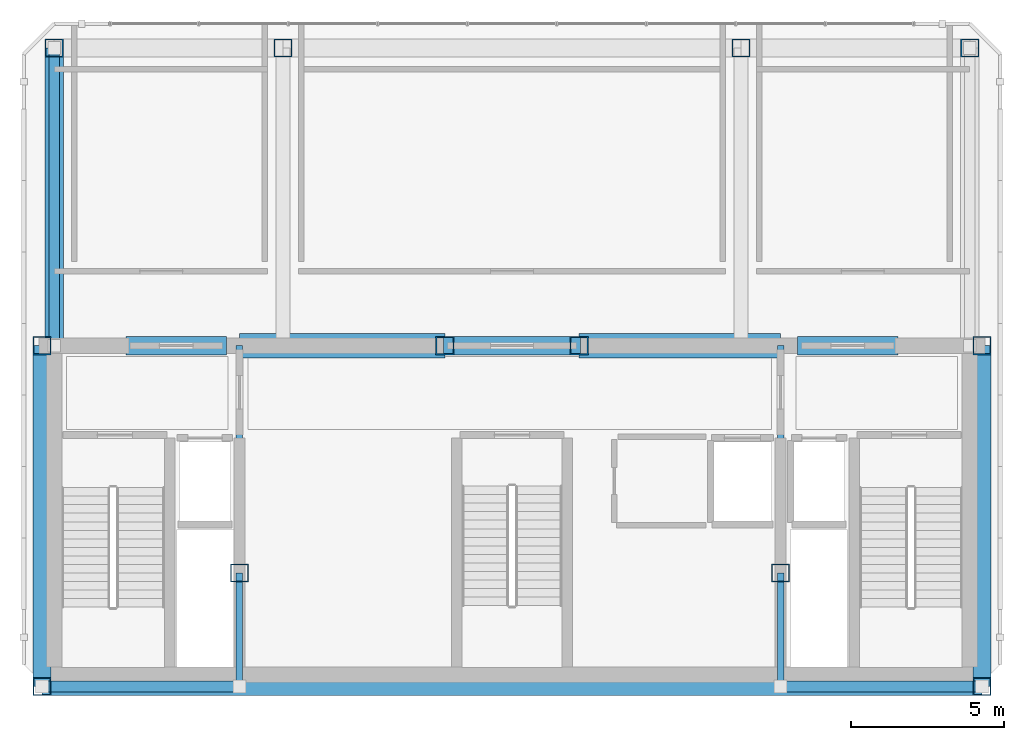
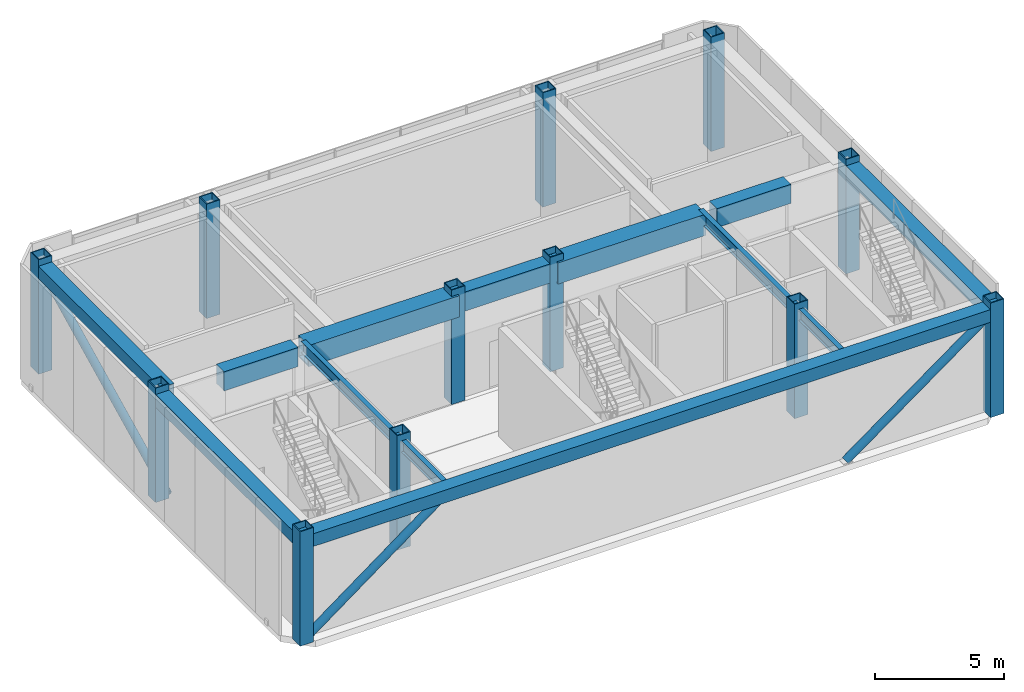
# One storey, part 1 of 9: 13 beams, 12 columns, 3 members.
"""IFC4 building model written with IfcOpenShell, lengths in metres."""

from ifc_helpers import new_model, si_unit, direction, frame, origin, origin_2d, place, context, subcontext, project, spatial, rectangle, hollow_rectangle, hollow_circle, i_section, extrude, material, material_profile, profile_set, type_object, element, save


model = new_model("IFC4")

# Units and contexts
model_context = context("Model", 3, precision=1e-05, world=origin(), true_north=direction((0.0, 1.0)))
body_context = subcontext(model_context, "Body", "Model", "MODEL_VIEW")
ifc_project = project(units=[si_unit("LENGTHUNIT", "METRE"), si_unit("AREAUNIT", "SQUARE_METRE"), si_unit("VOLUMEUNIT", "CUBIC_METRE"), si_unit("PLANEANGLEUNIT", "RADIAN"), si_unit("MASSUNIT", "GRAM", prefix="KILO")], contexts=[model_context])

# Site, building, storey
site_placement = place(None, origin())
site = spatial("IfcSite", under=ifc_project, at=site_placement, CompositionType="ELEMENT")
building_placement = place(site_placement, origin())
building = spatial("IfcBuilding", under=site, at=building_placement, Name="Ventersveld Concourse Tower", CompositionType="ELEMENT")
storey_placement = place(building_placement, frame((0.0, 0.0, 372.050048828125)))
storey = spatial("IfcBuildingStorey", under=building, at=storey_placement, Name="L91", CompositionType="ELEMENT", Elevation=372.050048828125)

# Columns
ifc_material_1 = material(Name="Structural steel S355ML", Category="steel")
ifc_material_profile_1 = material_profile(ifc_material_1, hollow_rectangle(XDim=0.60009765625, YDim=0.60009765625, WallThickness=0.0400390625, at=origin_2d()), Name="BOX 600x600x40")
ifc_profile_set_1 = profile_set([ifc_material_profile_1], Name="Structural steel S355ML")
column_type = type_object("IfcColumnType", Name="CF-POST-600", PredefinedType="USERDEFINED", material=ifc_profile_set_1)
for number, where, z_axis, x_axis, name in (
    (1, (13.35009765625, 0.280029296875, 0.0), (0.0, 0.0, 1.0), (1.0, 0.0, 0.0), "L91 Core Spine Column CC-SW"),
    (2, (44.14990234375, 0.280029296875, 0.0), (0.0, 0.0, 1.0), (1.0, 0.0, 0.0), "L91 Core Spine Column CC-SE"),
    (3, (13.35009765625, 11.449951171875, 0.0), (0.0, 0.0, 1.0), (1.0, 0.0, 0.0), "L91 Core Spine Column CC-NW"),
    (4, (44.14990234375, 11.449951171875, 0.0), (0.0, 0.0, 1.0), (1.0, 0.0, 0.0), "L91 Core Spine Column CC-NE"),
    (5, (19.820068359375, 4.0, 0.0), (0.0, 0.0, 1.0), (1.0, 0.0, 0.0), "L91 Core Spine Column CM-1"),
    (6, (37.550048828125, 4.0, 0.0), (0.0, 0.0, 1.0), (1.0, 0.0, 0.0), "L91 Core Spine Column CM-2"),
    (7, (26.550048828125, 11.449951171875, 0.0), (0.0, 0.0, 1.0), (1.0, 0.0, 0.0), "L91 Core Spine Column CM-3"),
    (8, (30.949951171875, 11.449951171875, 0.0), (0.0, 0.0, 1.0), (1.0, 0.0, 0.0), "L91 Core Spine Column CM-4"),
    (9, (13.75, 21.199951171875, 0.0), (0.0, 0.0, 1.0), (1.0, 0.0, 0.0), "L91 Crown Frame Structural Post CF-NW"),
    (10, (21.25, 21.199951171875, 0.0), (0.0, 0.0, 1.0), (1.0, 0.0, 0.0), "L91 Crown Frame Structural Post CF-NCW"),
    (11, (36.25, 21.199951171875, 0.0), (0.0, 0.0, 1.0), (1.0, 0.0, 0.0), "L91 Crown Frame Structural Post CF-NCE"),
    (12, (43.75, 21.199951171875, 0.0), (0.0, 0.0, 1.0), (1.0, 0.0, 0.0), "L91 Crown Frame Structural Post CF-NE"),
):
    element("IfcColumn", number, at=place(storey_placement, frame(where, z_axis=z_axis, x_axis=x_axis)), inside=storey, type_object=column_type, Name=name, ObjectType="CROWN_FRAME", PredefinedType="USERDEFINED", context=body_context, shape_type="SweptSolid", body=[
        extrude(hollow_rectangle(XDim=0.60009765625, YDim=0.60009765625, WallThickness=0.0400390625, at=origin_2d()), origin(), (0.0, 0.0, 1.0), 5.39990234375),
    ])

# Beams
ifc_material_2 = material(Name="Concrete C50/60", Category="concrete")
ifc_material_profile_2 = material_profile(ifc_material_2, rectangle(XDim=0.60009765625, YDim=0.89990234375, at=origin_2d()), Name="RC 600x900")
ifc_profile_set_2 = profile_set([ifc_material_profile_2], Name="Concrete C50/60")
beam_type_1 = type_object("IfcBeamType", Name="CB-RC600x900U", PredefinedType="LINTEL", material=ifc_profile_set_2)
beam_1_placement = place(storey_placement, frame((16.10009765625, 11.449951171875, 4.64990234375), z_axis=(1.0, 0.0, 0.0), x_axis=(0.0, 1.0, 0.0)))
element("IfcBeam", 13, at=beam_1_placement, inside=storey, type_object=beam_type_1, Name="L91 Core Coupling Lintel Beam 1", PredefinedType="LINTEL", context=body_context, shape_type="SweptSolid", body=[
    extrude(rectangle(XDim=0.60009765625, YDim=0.89990234375, at=origin_2d()), origin(), (0.0, 0.0, 1.0), 3.2998046875),
])
beam_2_placement = place(storey_placement, frame((26.5, 11.449951171875, 4.64990234375), z_axis=(1.0, 0.0, 0.0), x_axis=(0.0, 1.0, 0.0)))
element("IfcBeam", 14, at=beam_2_placement, inside=storey, type_object=beam_type_1, Name="L91 Core Coupling Lintel Beam 2", PredefinedType="LINTEL", context=body_context, shape_type="SweptSolid", body=[
    extrude(rectangle(XDim=0.60009765625, YDim=0.89990234375, at=origin_2d()), origin(), (0.0, 0.0, 1.0), 4.5),
])
beam_3_placement = place(storey_placement, frame((38.10009765625, 11.449951171875, 4.64990234375), z_axis=(1.0, 0.0, 0.0), x_axis=(0.0, 1.0, 0.0)))
element("IfcBeam", 15, at=beam_3_placement, inside=storey, type_object=beam_type_1, Name="L91 Core Coupling Lintel Beam 3", PredefinedType="LINTEL", context=body_context, shape_type="SweptSolid", body=[
    extrude(rectangle(XDim=0.60009765625, YDim=0.89990234375, at=origin_2d()), origin(), (0.0, 0.0, 1.0), 3.2998046875),
])

# Members
ifc_material_profile_3 = material_profile(ifc_material_1, hollow_circle(Radius=0.177734375, WallThickness=0.01611328125, at=origin_2d()), Name="CHS 355.6x16")
ifc_profile_set_3 = profile_set([ifc_material_profile_3], Name="Structural steel S355ML")
member_type = type_object("IfcMemberType", Name="CF-BR-355", PredefinedType="BRACE", material=ifc_profile_set_3)
member_1_placement = place(storey_placement, frame((13.35009765625, 0.280029296875, 0.0), z_axis=(0.803112997434, 0.0, 0.595826747766), x_axis=(0.0, 1.0, 0.0)))
element("IfcMember", 16, at=member_1_placement, inside=storey, type_object=member_type, Name="L91 CROWN FRAME Wind Brace 1", PredefinedType="BRACE", context=body_context, shape_type="SweptSolid", body=[
    extrude(hollow_circle(Radius=0.177734375, WallThickness=0.01611328125, at=origin_2d()), origin(), (0.0, 0.0, 1.0), 8.05615234375),
])
member_2_placement = place(storey_placement, frame((37.550048828125, 0.280029296875, 0.0), z_axis=(0.808727028466, 0.0, 0.58818414925), x_axis=(0.0, 1.0, 0.0)))
element("IfcMember", 17, at=member_2_placement, inside=storey, type_object=member_type, Name="L91 CROWN FRAME Wind Brace 2", PredefinedType="BRACE", context=body_context, shape_type="SweptSolid", body=[
    extrude(hollow_circle(Radius=0.177734375, WallThickness=0.01611328125, at=origin_2d()), origin(), (0.0, 0.0, 1.0), 8.160888671875),
])
member_3_placement = place(storey_placement, frame((13.75, 11.449951171875, 0.0), z_axis=(0.0, 0.897168895597, 0.441687641635), x_axis=(-1.0, 0.0, 0.0)))
element("IfcMember", 18, at=member_3_placement, inside=storey, type_object=member_type, Name="L91 CROWN FRAME Wind Brace 3", PredefinedType="BRACE", context=body_context, shape_type="SweptSolid", body=[
    extrude(hollow_circle(Radius=0.177734375, WallThickness=0.01611328125, at=origin_2d()), origin(), (0.0, 0.0, 1.0), 10.867431640625),
])

# Beams
ifc_material_3 = material(Name="Structural steel S355J2", Category="steel")
ifc_material_profile_4 = material_profile(ifc_material_3, i_section(OverallWidth=0.2119140625, OverallDepth=0.54443359375, WebThickness=0.0126953125, FlangeThickness=0.021240234375, FilletRadius=0.0126953125, at=origin_2d()), Name="UB 533x210x122")
ifc_profile_set_4 = profile_set([ifc_material_profile_4], Name="Structural steel S355J2")
beam_type_2 = type_object("IfcBeamType", Name="GRD-UB533H", PredefinedType="T_BEAM", material=ifc_profile_set_4)
beam_4_placement = place(storey_placement, frame((19.820068359375, 0.280029296875, 4.82763671875), z_axis=(0.0, 1.0, 0.0), x_axis=(-1.0, 0.0, 0.0)))
element("IfcBeam", 19, at=beam_4_placement, inside=storey, type_object=beam_type_2, Name="L91 Core Spine N-S Tie Beam W1", PredefinedType="T_BEAM", context=body_context, shape_type="SweptSolid", body=[
    extrude(i_section(OverallWidth=0.2119140625, OverallDepth=0.54443359375, WebThickness=0.0126953125, FlangeThickness=0.021240234375, FilletRadius=0.0126953125, at=origin_2d()), origin(), (0.0, 0.0, 1.0), 3.719970703125),
])
beam_5_placement = place(storey_placement, frame((19.820068359375, 4.0, 4.82763671875), z_axis=(0.0, 1.0, 0.0), x_axis=(-1.0, 0.0, 0.0)))
element("IfcBeam", 20, at=beam_5_placement, inside=storey, type_object=beam_type_2, Name="L91 Core Spine N-S Tie Beam W2", PredefinedType="T_BEAM", context=body_context, shape_type="SweptSolid", body=[
    extrude(i_section(OverallWidth=0.2119140625, OverallDepth=0.54443359375, WebThickness=0.0126953125, FlangeThickness=0.021240234375, FilletRadius=0.0126953125, at=origin_2d()), origin(), (0.0, 0.0, 1.0), 7.449951171875),
])
beam_6_placement = place(storey_placement, frame((37.550048828125, 0.280029296875, 4.82763671875), z_axis=(0.0, 1.0, 0.0), x_axis=(-1.0, 0.0, 0.0)))
element("IfcBeam", 21, at=beam_6_placement, inside=storey, type_object=beam_type_2, Name="L91 Core Spine N-S Tie Beam E1", PredefinedType="T_BEAM", context=body_context, shape_type="SweptSolid", body=[
    extrude(i_section(OverallWidth=0.2119140625, OverallDepth=0.54443359375, WebThickness=0.0126953125, FlangeThickness=0.021240234375, FilletRadius=0.0126953125, at=origin_2d()), origin(), (0.0, 0.0, 1.0), 3.719970703125),
])
beam_7_placement = place(storey_placement, frame((37.550048828125, 4.0, 4.82763671875), z_axis=(0.0, 1.0, 0.0), x_axis=(-1.0, 0.0, 0.0)))
element("IfcBeam", 22, at=beam_7_placement, inside=storey, type_object=beam_type_2, Name="L91 Core Spine N-S Tie Beam E2", PredefinedType="T_BEAM", context=body_context, shape_type="SweptSolid", body=[
    extrude(i_section(OverallWidth=0.2119140625, OverallDepth=0.54443359375, WebThickness=0.0126953125, FlangeThickness=0.021240234375, FilletRadius=0.0126953125, at=origin_2d()), origin(), (0.0, 0.0, 1.0), 7.449951171875),
])
ifc_material_profile_5 = material_profile(ifc_material_1, hollow_rectangle(XDim=0.60009765625, YDim=0.60009765625, WallThickness=0.0400390625, at=origin_2d()), Name="BOX 600x600x40")
ifc_profile_set_5 = profile_set([ifc_material_profile_5], Name="Structural steel S355ML")
beam_type_3 = type_object("IfcBeamType", Name="SPD-BOX600", PredefinedType="SPANDREL", material=ifc_profile_set_5)
beam_8_placement = place(storey_placement, frame((13.35009765625, 0.280029296875, 4.800048828125), z_axis=(1.0, 0.0, 0.0), x_axis=(0.0, 1.0, 0.0)))
element("IfcBeam", 23, at=beam_8_placement, inside=storey, type_object=beam_type_3, Name="L91 CROWN FRAME Perimeter Ring Beam 1", PredefinedType="SPANDREL", context=body_context, shape_type="SweptSolid", body=[
    extrude(hollow_rectangle(XDim=0.60009765625, YDim=0.60009765625, WallThickness=0.0400390625, at=origin_2d()), origin(), (0.0, 0.0, 1.0), 30.7998046875),
])
beam_9_placement = place(storey_placement, frame((44.14990234375, 0.280029296875, 4.800048828125), z_axis=(0.0, 1.0, 0.0), x_axis=(-1.0, 0.0, 0.0)))
element("IfcBeam", 24, at=beam_9_placement, inside=storey, type_object=beam_type_3, Name="L91 CROWN FRAME Perimeter Ring Beam 2", PredefinedType="SPANDREL", context=body_context, shape_type="SweptSolid", body=[
    extrude(hollow_rectangle(XDim=0.60009765625, YDim=0.60009765625, WallThickness=0.0400390625, at=origin_2d()), origin(), (0.0, 0.0, 1.0), 11.169921875),
])
beam_10_placement = place(storey_placement, frame((13.75, 21.199951171875, 4.800048828125), z_axis=(0.0, -1.0, 0.0), x_axis=(1.0, 0.0, 0.0)))
element("IfcBeam", 25, at=beam_10_placement, inside=storey, type_object=beam_type_3, Name="L91 CROWN FRAME Perimeter Ring Beam 7", PredefinedType="SPANDREL", context=body_context, shape_type="SweptSolid", body=[
    extrude(hollow_rectangle(XDim=0.60009765625, YDim=0.60009765625, WallThickness=0.0400390625, at=origin_2d()), origin(), (0.0, 0.0, 1.0), 9.75),
])
beam_11_placement = place(storey_placement, frame((13.35009765625, 11.449951171875, 4.800048828125), z_axis=(0.0, -1.0, 0.0), x_axis=(1.0, 0.0, 0.0)))
element("IfcBeam", 26, at=beam_11_placement, inside=storey, type_object=beam_type_3, Name="L91 CROWN FRAME Perimeter Ring Beam 8", PredefinedType="SPANDREL", context=body_context, shape_type="SweptSolid", body=[
    extrude(hollow_rectangle(XDim=0.60009765625, YDim=0.60009765625, WallThickness=0.0400390625, at=origin_2d()), origin(), (0.0, 0.0, 1.0), 11.169921875),
])
ifc_material_4 = material(Name="Structural steel S460ML", Category="steel")
ifc_material_profile_6 = material_profile(ifc_material_4, hollow_rectangle(XDim=0.800048828125, YDim=1.0, WallThickness=0.06494140625, at=origin_2d()), Name="BOX 1000x800x65")
ifc_profile_set_6 = profile_set([ifc_material_profile_6], Name="Structural steel S460ML")
beam_type_4 = type_object("IfcBeamType", Name="TG-BOX1000", PredefinedType="USERDEFINED", material=ifc_profile_set_6)
beam_12_placement = place(storey_placement, frame((19.820068359375, 11.449951171875, 4.599853515625), z_axis=(1.0, 0.0, 0.0), x_axis=(0.0, 1.0, 0.0)))
element("IfcBeam", 27, at=beam_12_placement, inside=storey, type_object=beam_type_4, Name="L91 Mast North Grillage Beam W", ObjectType="TRANSFER_GIRDER", PredefinedType="USERDEFINED", context=body_context, shape_type="SweptSolid", body=[
    extrude(hollow_rectangle(XDim=0.800048828125, YDim=1.0, WallThickness=0.06494140625, at=origin_2d()), origin(), (0.0, 0.0, 1.0), 6.72998046875),
])
beam_13_placement = place(storey_placement, frame((30.949951171875, 11.449951171875, 4.599853515625), z_axis=(1.0, 0.0, 0.0), x_axis=(0.0, 1.0, 0.0)))
element("IfcBeam", 28, at=beam_13_placement, inside=storey, type_object=beam_type_4, Name="L91 Mast North Grillage Beam E", ObjectType="TRANSFER_GIRDER", PredefinedType="USERDEFINED", context=body_context, shape_type="SweptSolid", body=[
    extrude(hollow_rectangle(XDim=0.800048828125, YDim=1.0, WallThickness=0.06494140625, at=origin_2d()), origin(), (0.0, 0.0, 1.0), 6.60009765625),
])

save(model, "model.ifc")
